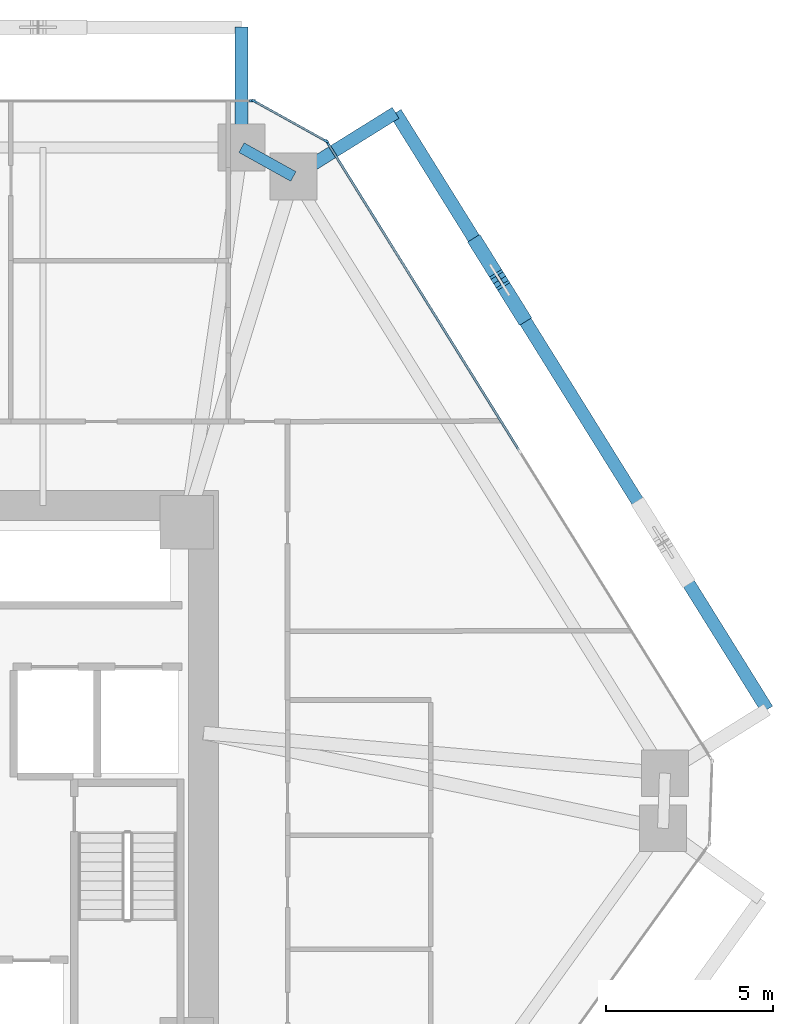
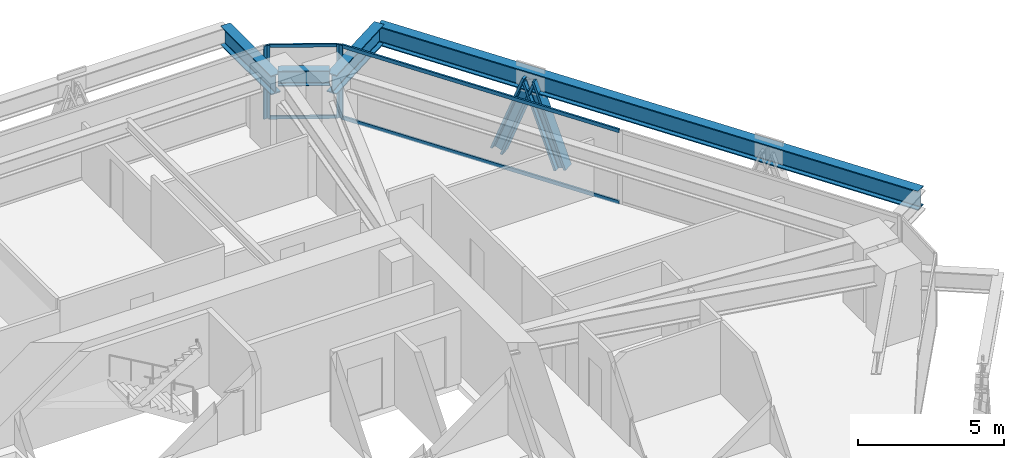
# One storey, part 9 of 17: 10 members, 4 beams, 3 elements without a shape of their own.
"""IFC4 building model written with IfcOpenShell, lengths in metres."""

import ifcopenshell
import ifcopenshell.guid

model = None  # the IFC model being written
_history = None  # IfcOwnerHistory: only IFC2X3 demands one
_inside = {}  # id of a spatial element -> (the spatial element, [elements in it])
_under = {}  # id of a project, library or spatial element -> (it, [spatial elements below it])
_declared = {}  # id of a project -> (the project, [libraries it declares])
_typed = {}  # id of a type object -> (the type object, [elements of that type])
_made_of = {}  # id of a material, layer set ... -> (it, [elements and type objects made of it])


def new_model(schema):
    """Start an empty IFC model of exactly this schema.

    Asked for "IFC4X3", IfcOpenShell would pick the latest addendum, in which some entities
    have other attributes; the version numbers below select the first issue.
    IFC2X3 requires an IfcOwnerHistory on every rooted entity: one is made here for all.
    """
    global model, _history
    if schema == "IFC4X3":
        model = ifcopenshell.file(schema_version=(4, 3, 0, 0))
    else:
        model = ifcopenshell.file(schema=schema)
    _inside.clear()
    _under.clear()
    _declared.clear()
    _typed.clear()
    _made_of.clear()
    _history = None
    if model.schema == "IFC2X3":
        org = make("IfcOrganization", Name="unknown")
        user = make(
            "IfcPersonAndOrganization",
            ThePerson=make("IfcPerson", FamilyName="unknown"),
            TheOrganization=org,
        )
        app = make(
            "IfcApplication",
            ApplicationDeveloper=org,
            Version="unknown",
            ApplicationFullName="unknown",
            ApplicationIdentifier="unknown",
        )
        _history = make(
            "IfcOwnerHistory",
            OwningUser=user,
            OwningApplication=app,
            ChangeAction="ADDED",
            CreationDate=0,
        )
    return model


def make(cls, **values):
    """One entity of the class cls with the attributes given. An attribute that is None is left unset."""
    return model.create_entity(
        cls, **{name: value for name, value in values.items() if value is not None}
    )


def rooted(cls, **values):
    """An entity with a GlobalId (a new one), such as an element, a storey or a relation."""
    return make(cls, GlobalId=ifcopenshell.guid.new(), OwnerHistory=_history, **values)


def si_unit(unit_type, name, prefix=None):
    """IfcSIUnit, for example si_unit("LENGTHUNIT", "METRE", prefix="MILLI")."""
    return make("IfcSIUnit", UnitType=unit_type, Prefix=prefix, Name=name)


def assignment(units):
    """IfcUnitAssignment: the units of a project."""
    return None if units is None else make("IfcUnitAssignment", Units=units)


def point(xyz):
    """IfcCartesianPoint."""
    return None if xyz is None else make("IfcCartesianPoint", Coordinates=xyz)


def direction(xyz):
    """IfcDirection."""
    return None if xyz is None else make("IfcDirection", DirectionRatios=xyz)


def frame(location, z_axis=None, x_axis=None):
    """IfcAxis2Placement3D, a coordinate frame: its origin and axes. An axis left out is left unset."""
    return make(
        "IfcAxis2Placement3D",
        Location=point(location),
        Axis=direction(z_axis),
        RefDirection=direction(x_axis),
    )


def frame_2d(location, x_axis=None):
    """IfcAxis2Placement2D, a coordinate frame in the plane: its origin and x axis."""
    return make(
        "IfcAxis2Placement2D", Location=point(location), RefDirection=direction(x_axis)
    )


def origin():
    """The frame at (0, 0, 0) with its axes left unset."""
    return frame((0.0, 0.0, 0.0))


def origin_2d():
    """The frame at (0, 0) in the plane with its x axis left unset."""
    return frame_2d((0.0, 0.0))


def place(relative_to, where):
    """IfcLocalPlacement: puts the frame where relative to a parent placement (None: the world)."""
    return make(
        "IfcLocalPlacement", PlacementRelTo=relative_to, RelativePlacement=where
    )


def context(
    kind, dimensions, precision=None, world=None, true_north=None, identifier=None
):
    """IfcGeometricRepresentationContext, for example the 3D "Model" context."""
    return make(
        "IfcGeometricRepresentationContext",
        ContextIdentifier=identifier,
        ContextType=kind,
        CoordinateSpaceDimension=dimensions,
        Precision=precision,
        WorldCoordinateSystem=world,
        TrueNorth=true_north,
    )


def subcontext(parent, identifier, kind, view, scale=None):
    """IfcGeometricRepresentationSubContext, for example "Body" below "Model"."""
    return make(
        "IfcGeometricRepresentationSubContext",
        ContextIdentifier=identifier,
        ContextType=kind,
        ParentContext=parent,
        TargetScale=scale,
        TargetView=view,
    )


def project(units=None, contexts=None):
    """IfcProject with its units and contexts."""
    return rooted(
        "IfcProject",
        Name="project",
        RepresentationContexts=contexts,
        UnitsInContext=assignment(units),
    )


def spatial(cls, under=None, at=None, **own):
    """A site, building, storey or space (cls), placed at a placement, below another one or the project."""
    s = rooted(cls, ObjectPlacement=at, **own)
    if under is not None:
        _under.setdefault(under.id(), (under, []))[1].append(s)
    return s


def profile(cls, at=None, kind="AREA", **sizes):
    """A parametric profile (cls). Its sizes go by their IFC names, for example OverallWidth=200.0."""
    return make(cls, ProfileType=kind, Position=at, **sizes)


def rectangle(**sizes):
    """IfcRectangleProfileDef."""
    return profile("IfcRectangleProfileDef", **sizes)


def i_section(**sizes):
    """IfcIShapeProfileDef."""
    return profile("IfcIShapeProfileDef", **sizes)


def extrude(swept, where, along, depth):
    """IfcExtrudedAreaSolid: the profile swept, set in the frame where, extruded along a direction by depth."""
    return make(
        "IfcExtrudedAreaSolid",
        SweptArea=swept,
        Position=where,
        ExtrudedDirection=direction(along),
        Depth=depth,
    )


def shape(context_of_items, identifier, shape_type, items):
    """IfcShapeRepresentation: the items that make up one representation, for example the "Body"."""
    return make(
        "IfcShapeRepresentation",
        ContextOfItems=context_of_items,
        RepresentationIdentifier=identifier,
        RepresentationType=shape_type,
        Items=items,
    )


def source(mapping_origin, context_of_items, identifier, shape_type, items):
    """IfcRepresentationMap: a shape defined once, which mapped items show again and again."""
    return make(
        "IfcRepresentationMap",
        MappingOrigin=mapping_origin,
        MappedRepresentation=shape(context_of_items, identifier, shape_type, items),
    )


def transform(
    local_origin,
    x_axis=None,
    y_axis=None,
    z_axis=None,
    scale=None,
    scale2=None,
    scale3=None,
    uniform=True,
):
    """IfcCartesianTransformationOperator3D, or its non-uniform kind. x_axis, y_axis, z_axis: its Axis1, 2, 3."""
    if uniform:
        return make(
            "IfcCartesianTransformationOperator3D",
            Axis1=direction(x_axis),
            Axis2=direction(y_axis),
            LocalOrigin=point(local_origin),
            Scale=scale,
            Axis3=direction(z_axis),
        )
    return make(
        "IfcCartesianTransformationOperator3DnonUniform",
        Axis1=direction(x_axis),
        Axis2=direction(y_axis),
        LocalOrigin=point(local_origin),
        Scale=scale,
        Axis3=direction(z_axis),
        Scale2=scale2,
        Scale3=scale3,
    )


def mapped(mapping_source, mapping_target):
    """IfcMappedItem: shows the shape of a source again, moved by a transform."""
    return make(
        "IfcMappedItem", MappingSource=mapping_source, MappingTarget=mapping_target
    )


def material(Name=None, Category=None):
    """IfcMaterial."""
    return make("IfcMaterial", Name=Name, Category=Category)


def layer(
    of_material, thickness, ventilated=None, Name=None, Category=None, Priority=None
):
    """IfcMaterialLayer: one layer of a wall or slab, of a material (None: an air gap)."""
    return make(
        "IfcMaterialLayer",
        Material=of_material,
        LayerThickness=thickness,
        IsVentilated=ventilated,
        Name=Name,
        Category=Category,
        Priority=Priority,
    )


def layer_set(layers, Name=None):
    """IfcMaterialLayerSet."""
    return make("IfcMaterialLayerSet", MaterialLayers=layers, LayerSetName=Name)


def material_profile(
    of_material, cross_section, Name=None, Category=None, Priority=None
):
    """IfcMaterialProfile: a cross section and its material."""
    return make(
        "IfcMaterialProfile",
        Name=Name,
        Material=of_material,
        Profile=cross_section,
        Priority=Priority,
        Category=Category,
    )


def profile_set(profiles, Name=None, composite=None):
    """IfcMaterialProfileSet."""
    return make(
        "IfcMaterialProfileSet",
        Name=Name,
        MaterialProfiles=profiles,
        CompositeProfile=composite,
    )


def made_of(thing, what):
    """Note that an element or type object is made of a material, layer set ...; save() writes the relation."""
    if what is not None:
        _made_of.setdefault(what.id(), (what, []))[1].append(thing)
    return thing


def type_object(cls, material=None, **own):
    """A type object (cls), such as IfcWallType, which elements share."""
    return made_of(rooted(cls, **own), material)


def type_shapes(of_type, sources):
    """Give a type object the sources (RepresentationMaps) that its elements show as mapped items."""
    of_type.RepresentationMaps = sources


def element(
    cls,
    number,
    at=None,
    inside=None,
    cuts=None,
    type_object=None,
    material=None,
    context=None,
    identifier="Body",
    shape_type=None,
    held_by="IfcProductDefinitionShape",
    body=None,
    shapes=None,
    **own,
):
    """One element of the class cls, such as IfcWall. Its Tag is "e" and its number.

    at: its placement. inside: the storey or other place that contains it. cuts: it is an
    opening in that element (IfcRelVoidsElement). A single representation is given by context,
    identifier, shape_type and body (its items); several are given by shapes. held_by: the class
    of the entity that holds the representations. save() writes the other relations.
    """
    e = rooted(cls, Tag="e%d" % number, ObjectPlacement=at, **own)
    if body is not None:
        shapes = [shape(context, identifier, shape_type, body)]
    if shapes is not None:
        e.Representation = make(held_by, Representations=shapes)
    if inside is not None:
        _inside.setdefault(inside.id(), (inside, []))[1].append(e)
    if cuts is not None:
        rooted(
            "IfcRelVoidsElement", RelatingBuildingElement=cuts, RelatedOpeningElement=e
        )
    if type_object is not None:
        _typed.setdefault(type_object.id(), (type_object, []))[1].append(e)
    return made_of(e, material)


def aggregate(whole, parts):
    """IfcRelAggregates: a whole, such as a stair, and the parts it consists of."""
    return rooted("IfcRelAggregates", RelatingObject=whole, RelatedObjects=parts)


def save(model, path):
    """Write the relations noted so far, then the file.

    IfcRelAggregates (storeys below a building ...), IfcRelContainedInSpatialStructure (elements
    in a storey), IfcRelDefinesByType, IfcRelAssociatesMaterial and IfcRelDeclares: one each for
    every whole, place, type object, material and project.
    """
    for whole, parts in _under.values():
        aggregate(whole, parts)
    for where, things in _inside.values():
        rooted(
            "IfcRelContainedInSpatialStructure",
            RelatedElements=things,
            RelatingStructure=where,
        )
    for kind, things in _typed.values():
        rooted("IfcRelDefinesByType", RelatedObjects=things, RelatingType=kind)
    for what, things in _made_of.values():
        rooted("IfcRelAssociatesMaterial", RelatedObjects=things, RelatingMaterial=what)
    for by, libraries in _declared.values():
        rooted("IfcRelDeclares", RelatingContext=by, RelatedDefinitions=libraries)
    model.write(path)


model = new_model("IFC4")

# Units and contexts
model_context = context("Model", 3, precision=1e-05, world=origin(), true_north=direction((0.0, 1.0)))
body_context = subcontext(model_context, "Body", "Model", "MODEL_VIEW")
ifc_project = project(units=[si_unit("LENGTHUNIT", "METRE"), si_unit("AREAUNIT", "SQUARE_METRE"), si_unit("VOLUMEUNIT", "CUBIC_METRE"), si_unit("PLANEANGLEUNIT", "RADIAN"), si_unit("MASSUNIT", "GRAM", prefix="KILO")], contexts=[model_context])

# Site, building, storey
site_placement = place(None, origin())
site = spatial("IfcSite", under=ifc_project, at=site_placement, CompositionType="ELEMENT")
building_placement = place(site_placement, origin())
building = spatial("IfcBuilding", under=site, at=building_placement, Name="Durnholm Broadcast Tower", CompositionType="ELEMENT")
storey_placement = place(building_placement, frame((0.0, 0.0, 39.0)))
storey = spatial("IfcBuildingStorey", under=building, at=storey_placement, Name="L08", CompositionType="ELEMENT", Elevation=39.0)

# Beams
ifc_material_1 = material(Name="Steel ASTM A992 Grade 50", Category="steel")
ifc_material_profile_1 = material_profile(ifc_material_1, i_section(OverallWidth=0.3291015625, OverallDepth=0.635009765625, WebThickness=0.017822265625, FlangeThickness=0.031005859375, FilletRadius=0.02783203125, at=origin_2d()), Name="W24X162")
ifc_profile_set_1 = profile_set([ifc_material_profile_1], Name="Steel ASTM A992 Grade 50")
beam_type_1 = type_object("IfcBeamType", Name="STL-SP-W24X162", PredefinedType="SPANDREL", material=ifc_profile_set_1)
shared_shape_1 = source(origin(), body_context, "Body", "SweptSolid", [
    extrude(i_section(OverallWidth=0.3291015625, OverallDepth=0.635009765625, WebThickness=0.017822265625, FlangeThickness=0.031005859375, FilletRadius=0.02783203125, at=origin_2d()), origin(), (0.0, 0.0, 1.0), 1.774658203125),
])
type_shapes(beam_type_1, [shared_shape_1])
beam_1_placement = place(storey_placement, frame((11.43115234375, 19.0, 2.7275390625), z_axis=(0.874248107979, -0.485479397806, 0.0), x_axis=(0.485479397806, 0.874248107979, 0.0)))
element("IfcBeam", 1, at=beam_1_placement, inside=storey, type_object=beam_type_1, Name="L08 perimeter spandrel girder 06", PredefinedType="SPANDREL", context=body_context, shape_type="MappedRepresentation", body=[
    mapped(shared_shape_1, transform((0.0, 0.0, 0.0), x_axis=(1.0, 0.0, 0.0), y_axis=(0.0, 1.0, 0.0), z_axis=(0.0, 0.0, 1.0), scale=1.0)),
])
ifc_material_profile_2 = material_profile(ifc_material_1, i_section(OverallWidth=0.385009765625, OverallDepth=0.802978515625, WebThickness=0.023681640625, FlangeThickness=0.0419921875, FilletRadius=0.032958984375, at=origin_2d()), Name="W30X261")
ifc_profile_set_2 = profile_set([ifc_material_profile_2], Name="Steel ASTM A992 Grade 50")
beam_type_2 = type_object("IfcBeamType", Name="BM-EXO-TIE", PredefinedType="USERDEFINED", material=ifc_profile_set_2)
shared_shape_2 = source(origin(), body_context, "Body", "SweptSolid", [
    extrude(i_section(OverallWidth=0.385009765625, OverallDepth=0.802978515625, WebThickness=0.023681640625, FlangeThickness=0.0419921875, FilletRadius=0.032958984375, at=origin_2d()), origin(), (0.0, 0.0, 1.0), 3.4560546875),
])
for number, where, z_axis, x_axis, name in (
    (2, (13.10498046875, 18.214599609375, 2.30859375), (0.848854443891, 0.528626648105, 0.0), (-0.528626648105, 0.848854443891, 0.0), "L08 exoskeleton stand-off tie bracket F3.2"),
    (3, (11.43115234375, 19.14404296875, 2.30859375), (0.0, 1.0, 0.0), (-1.0, 0.0, 0.0), "L08 exoskeleton stand-off tie bracket F4.1"),
):
    element("IfcBeam", number, at=place(storey_placement, frame(where, z_axis=z_axis, x_axis=x_axis)), inside=storey, type_object=beam_type_2, Name=name, ObjectType="GIRDER", PredefinedType="USERDEFINED", context=body_context, shape_type="MappedRepresentation", body=[
        mapped(shared_shape_2, transform((0.0, 0.0, 0.0), x_axis=(1.0, 0.0, 0.0), y_axis=(0.0, 1.0, 0.0), z_axis=(0.0, 0.0, 1.0), scale=1.0)),
    ])
shared_shape_3 = source(origin(), body_context, "Body", "SweptSolid", [
    extrude(i_section(OverallWidth=0.385009765625, OverallDepth=0.802978515625, WebThickness=0.023681640625, FlangeThickness=0.0419921875, FilletRadius=0.032958984375, at=origin_2d()), origin(), (0.0, 0.0, 1.0), 21.0146484375),
])
type_shapes(beam_type_2, [shared_shape_2, shared_shape_3])
beam_2_placement = place(storey_placement, frame((27.146728515625, 2.20263671875, 2.30859375), z_axis=(-0.528590518575, 0.848876942597, 0.0), x_axis=(-0.848876942597, -0.528590518575, 0.0)))
element("IfcBeam", 4, at=beam_2_placement, inside=storey, type_object=beam_type_2, Name="L08 exoskeleton collector spandrel F3", PredefinedType="SPANDREL", context=body_context, shape_type="MappedRepresentation", body=[
    mapped(shared_shape_3, transform((0.0, 0.0, 0.0), x_axis=(1.0, 0.0, 0.0), y_axis=(0.0, 1.0, 0.0), z_axis=(0.0, 0.0, 1.0), scale=1.0)),
])

# Members
ifc_material_2 = material(Name="Steel ASTM A913 Grade 65", Category="steel")
ifc_material_profile_3 = material_profile(ifc_material_2, i_section(OverallWidth=0.43212890625, OverallDepth=0.497802734375, WebThickness=0.0556640625, FlangeThickness=0.0888671875, FilletRadius=0.030517578125, at=origin_2d()), Name="W14X500")
ifc_profile_set_3 = profile_set([ifc_material_profile_3], Name="Steel ASTM A913 Grade 65")
member_type_1 = type_object("IfcMemberType", Name="STL-DG-W14X500", PredefinedType="BRACE", material=ifc_profile_set_3)
shared_shape_4 = source(origin(), body_context, "Body", "SweptSolid", [
    extrude(i_section(OverallWidth=0.43212890625, OverallDepth=0.497802734375, WebThickness=0.0556640625, FlangeThickness=0.0888671875, FilletRadius=0.030517578125, at=origin_2d()), origin(), (0.0, 0.0, 1.0), 3.523193359375),
])
type_shapes(member_type_1, [shared_shape_4])
for number, where, z_axis, x_axis, name in (
    (5, (19.801025390625, 13.9990234375, -0.991455078125), (-0.185090383068, 0.297281072018, 0.936677913861), (-0.848908635391, -0.528539618911, 0.0), "L08 stand-off diagrid brace F3.D2.1"),
    (6, (18.496826171875, 16.09375, -0.991455078125), (0.185090383068, -0.297281072018, 0.936677913861), (0.848908635391, 0.528539618911, 0.0), "L08 stand-off diagrid brace F3.D2.2"),
):
    element("IfcMember", number, at=place(storey_placement, frame(where, z_axis=z_axis, x_axis=x_axis)), inside=storey, type_object=member_type_1, Name=name, PredefinedType="BRACE", context=body_context, shape_type="MappedRepresentation", body=[
        mapped(shared_shape_4, transform((0.0, 0.0, 0.0), x_axis=(1.0, 0.0, 0.0), y_axis=(0.0, 1.0, 0.0), z_axis=(0.0, 0.0, 1.0), scale=1.0)),
    ])

# Curtain wall, members
ifc_material_3 = material(Name="Aluminium and Solar Control IGU", Category="aluminium")
ifc_layer_1 = layer(ifc_material_3, 0.1650390625)
ifc_layer_set_1 = layer_set([ifc_layer_1], Name="Aluminium and Solar Control IGU")
curtain_wall_type_1 = type_object("IfcCurtainWallType", Name="CW-SYS-5", PredefinedType="NOTDEFINED", material=ifc_layer_set_1)
curtain_wall_1_placement = place(storey_placement, origin())
curtain_wall_1 = element("IfcCurtainWall", 7, at=curtain_wall_1_placement, inside=storey, type_object=curtain_wall_type_1, Name="L08 curtain wall CW-CORNER CW-L08-CRN-05", PredefinedType="NOTDEFINED")
ifc_material_4 = material(Name="Aluminium 6063-T6", Category="aluminium")
ifc_material_profile_4 = material_profile(ifc_material_4, rectangle(XDim=0.06494140625, YDim=0.1650390625, at=origin_2d()), Name="CWM65X165")
ifc_profile_set_4 = profile_set([ifc_material_profile_4], Name="Aluminium 6063-T6")
member_type_2 = type_object("IfcMemberType", Name="CW-SYS-5-MUL", PredefinedType="MULLION", material=ifc_profile_set_4)
shared_shape_5 = source(origin(), body_context, "Body", "SweptSolid", [
    extrude(rectangle(XDim=0.06494140625, YDim=0.1650390625, at=origin_2d()), origin(), (0.0, 0.0, 1.0), 3.06005859375),
])
type_shapes(member_type_2, [shared_shape_5])
member_1_placement = place(storey_placement, frame((11.822265625, 20.38427734375, 0.0), z_axis=(0.0, 0.0, 1.0), x_axis=(0.485483299359, 0.874245941394, 0.0)))
member_1 = element("IfcMember", 8, at=member_1_placement, type_object=member_type_2, Name="CW-CORNER mullion 1", PredefinedType="MULLION", context=body_context, shape_type="MappedRepresentation", body=[
    mapped(shared_shape_5, transform((0.0, 0.0, 0.0), x_axis=(1.0, 0.0, 0.0), y_axis=(0.0, 1.0, 0.0), z_axis=(0.0, 0.0, 1.0), scale=1.0)),
])
member_2_placement = place(storey_placement, frame((13.950927734375, 19.2021484375, 0.0), z_axis=(0.0, 0.0, 1.0), x_axis=(0.485483299359, 0.874245941394, 0.0)))
member_2 = element("IfcMember", 9, at=member_2_placement, type_object=member_type_2, Name="CW-CORNER mullion 2", PredefinedType="MULLION", context=body_context, shape_type="MappedRepresentation", body=[
    mapped(shared_shape_5, transform((0.0, 0.0, 0.0), x_axis=(1.0, 0.0, 0.0), y_axis=(0.0, 1.0, 0.0), z_axis=(0.0, 0.0, 1.0), scale=1.0)),
])
ifc_material_profile_5 = material_profile(ifc_material_4, rectangle(XDim=0.06494140625, YDim=0.1298828125, at=origin_2d()), Name="CWT65X130")
ifc_profile_set_5 = profile_set([ifc_material_profile_5], Name="Aluminium 6063-T6")
member_type_3 = type_object("IfcMemberType", Name="CW-SYS-5-TRN", PredefinedType="USERDEFINED", material=ifc_profile_set_5)
shared_shape_6 = source(origin(), body_context, "Body", "SweptSolid", [
    extrude(rectangle(XDim=0.06494140625, YDim=0.1298828125, at=origin_2d()), origin(), (0.0, 0.0, 1.0), 2.3701171875),
])
type_shapes(member_type_3, [shared_shape_6])
member_3_placement = place(storey_placement, frame((11.8505859375, 20.368408203125, 0.032470703125), z_axis=(0.874244723151, -0.485485493132, 0.0), x_axis=(0.485485493132, 0.874244723151, 0.0)))
member_3 = element("IfcMember", 10, at=member_3_placement, type_object=member_type_3, Name="CW-CORNER transom 1.1", ObjectType="TRANSOM", PredefinedType="USERDEFINED", context=body_context, shape_type="MappedRepresentation", body=[
    mapped(shared_shape_6, transform((0.0, 0.0, 0.0), x_axis=(1.0, 0.0, 0.0), y_axis=(0.0, 1.0, 0.0), z_axis=(0.0, 0.0, 1.0), scale=1.0)),
])
member_4_placement = place(storey_placement, frame((11.8505859375, 20.368408203125, 3.027587890625), z_axis=(0.874244723151, -0.485485493132, 0.0), x_axis=(0.485485493132, 0.874244723151, 0.0)))
member_4 = element("IfcMember", 11, at=member_4_placement, type_object=member_type_3, Name="CW-CORNER transom 1.2", ObjectType="TRANSOM", PredefinedType="USERDEFINED", context=body_context, shape_type="MappedRepresentation", body=[
    mapped(shared_shape_6, transform((0.0, 0.0, 0.0), x_axis=(1.0, 0.0, 0.0), y_axis=(0.0, 1.0, 0.0), z_axis=(0.0, 0.0, 1.0), scale=1.0)),
])
aggregate(curtain_wall_1, [member_1, member_2, member_3, member_4])

# Curtain wall, member
ifc_layer_2 = layer(ifc_material_3, 0.18994140625)
ifc_layer_set_2 = layer_set([ifc_layer_2], Name="Aluminium and Solar Control IGU")
curtain_wall_type_2 = type_object("IfcCurtainWallType", Name="CW-SYS-3", PredefinedType="NOTDEFINED", material=ifc_layer_set_2)
curtain_wall_2_placement = place(storey_placement, origin())
curtain_wall_2 = element("IfcCurtainWall", 12, at=curtain_wall_2_placement, inside=storey, type_object=curtain_wall_type_2, Name="L08 curtain wall CW-Z12-VIS CW-L08-F04", PredefinedType="NOTDEFINED")
ifc_material_profile_6 = material_profile(ifc_material_4, rectangle(XDim=0.070068359375, YDim=0.18994140625, at=origin_2d()), Name="CWM70X190")
ifc_profile_set_6 = profile_set([ifc_material_profile_6], Name="Aluminium 6063-T6")
member_type_4 = type_object("IfcMemberType", Name="CW-SYS-3-MUL", PredefinedType="MULLION", material=ifc_profile_set_6)
shared_shape_7 = source(origin(), body_context, "Body", "SweptSolid", [
    extrude(rectangle(XDim=0.070068359375, YDim=0.18994140625, at=origin_2d()), origin(), (0.0, 0.0, 1.0), 3.06005859375),
])
type_shapes(member_type_4, [shared_shape_7])
member_5_placement = place(storey_placement, frame((11.7587890625, 20.39990234375, 0.0), z_axis=(0.0, 0.0, 1.0), x_axis=(0.0, 1.0, 0.0)))
member_5 = element("IfcMember", 13, at=member_5_placement, type_object=member_type_4, Name="CW-Z12-VIS mullion 3", PredefinedType="MULLION", context=body_context, shape_type="MappedRepresentation", body=[
    mapped(shared_shape_7, transform((0.0, 0.0, 0.0), x_axis=(1.0, 0.0, 0.0), y_axis=(0.0, 1.0, 0.0), z_axis=(0.0, 0.0, 1.0), scale=1.0)),
])
aggregate(curtain_wall_2, [member_5])

# Curtain wall, members
curtain_wall_3_placement = place(storey_placement, origin())
curtain_wall_3 = element("IfcCurtainWall", 14, at=curtain_wall_3_placement, inside=storey, type_object=curtain_wall_type_2, Name="L08 curtain wall CW-Z12-VIS CW-L08-F06", PredefinedType="NOTDEFINED")
member_6_placement = place(storey_placement, frame((13.997802734375, 19.156494140625, 0.0), z_axis=(0.0, 0.0, 1.0), x_axis=(0.848875785503, 0.528592376777, 0.0)))
member_6 = element("IfcMember", 15, at=member_6_placement, type_object=member_type_4, Name="CW-Z12-VIS mullion 1", PredefinedType="MULLION", context=body_context, shape_type="MappedRepresentation", body=[
    mapped(shared_shape_7, transform((0.0, 0.0, 0.0), x_axis=(1.0, 0.0, 0.0), y_axis=(0.0, 1.0, 0.0), z_axis=(0.0, 0.0, 1.0), scale=1.0)),
])
ifc_material_profile_7 = material_profile(ifc_material_4, rectangle(XDim=0.070068359375, YDim=0.14990234375, at=origin_2d()), Name="CWT70X150")
ifc_profile_set_7 = profile_set([ifc_material_profile_7], Name="Aluminium 6063-T6")
member_type_5 = type_object("IfcMemberType", Name="CW-SYS-3-TRN", PredefinedType="USERDEFINED", material=ifc_profile_set_7)
shared_shape_8 = source(origin(), body_context, "Body", "SweptSolid", [
    extrude(rectangle(XDim=0.070068359375, YDim=0.14990234375, at=origin_2d()), origin(), (0.0, 0.0, 1.0), 10.796630859375),
])
type_shapes(member_type_5, [shared_shape_8])
member_7_placement = place(storey_placement, frame((14.016357421875, 19.126953125, 0.034912109375), z_axis=(0.528591657678, -0.848876233283, 0.0), x_axis=(0.848876233283, 0.528591657678, 0.0)))
member_7 = element("IfcMember", 16, at=member_7_placement, type_object=member_type_5, Name="CW-Z12-VIS transom 1.1", ObjectType="TRANSOM", PredefinedType="USERDEFINED", context=body_context, shape_type="MappedRepresentation", body=[
    mapped(shared_shape_8, transform((0.0, 0.0, 0.0), x_axis=(1.0, 0.0, 0.0), y_axis=(0.0, 1.0, 0.0), z_axis=(0.0, 0.0, 1.0), scale=1.0)),
])
member_8_placement = place(storey_placement, frame((14.016357421875, 19.126953125, 3.02490234375), z_axis=(0.528591657678, -0.848876233283, 0.0), x_axis=(0.848876233283, 0.528591657678, 0.0)))
member_8 = element("IfcMember", 17, at=member_8_placement, type_object=member_type_5, Name="CW-Z12-VIS transom 1.2", ObjectType="TRANSOM", PredefinedType="USERDEFINED", context=body_context, shape_type="MappedRepresentation", body=[
    mapped(shared_shape_8, transform((0.0, 0.0, 0.0), x_axis=(1.0, 0.0, 0.0), y_axis=(0.0, 1.0, 0.0), z_axis=(0.0, 0.0, 1.0), scale=1.0)),
])
aggregate(curtain_wall_3, [member_6, member_7, member_8])

save(model, "model.ifc")
